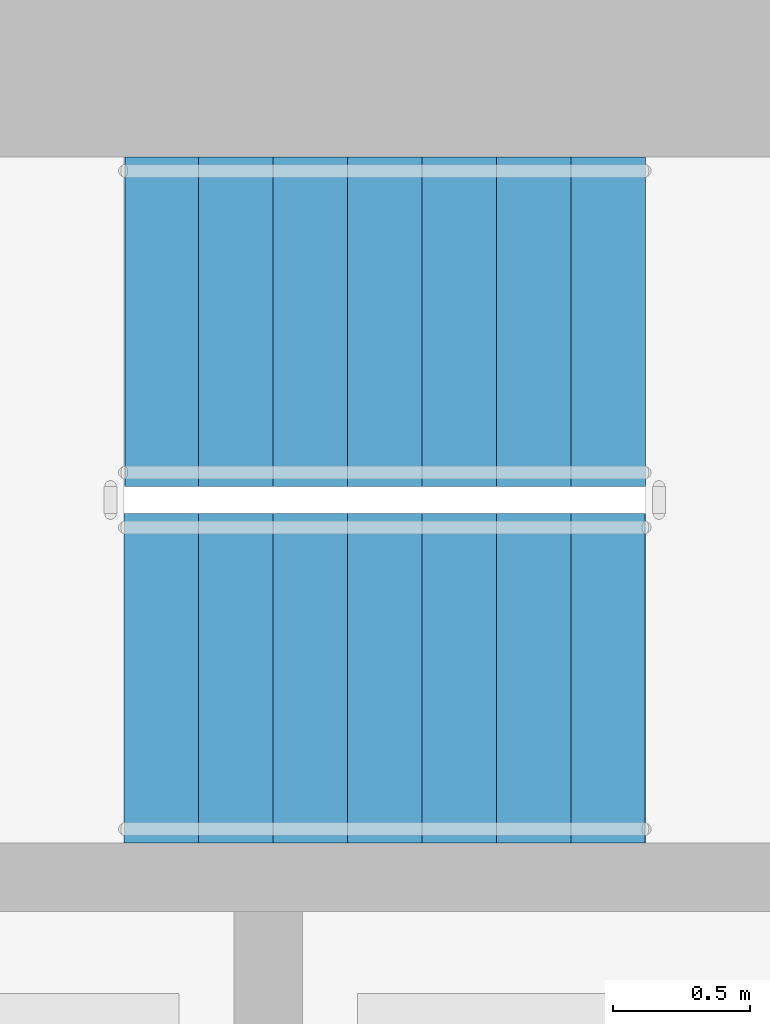
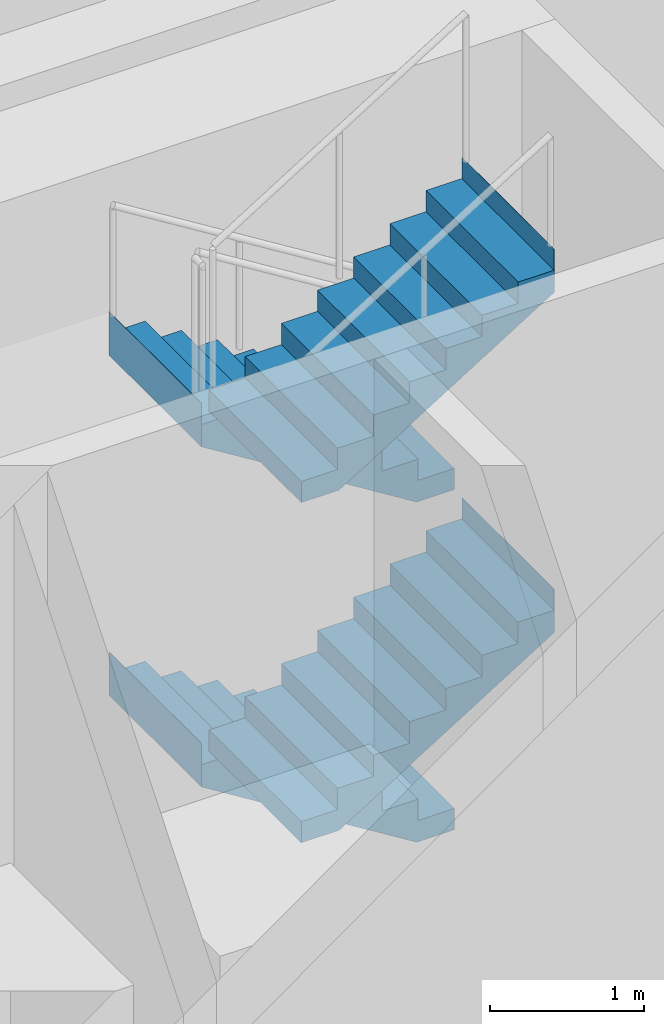
# One storey, part 11 of 18: 4 stair flights, 1 element without a shape of its own.
"""IFC4 building model written with IfcOpenShell, lengths in metres."""

from ifc_helpers import new_model, si_unit, direction, frame, origin, place, context, subcontext, project, spatial, triangles, material, type_object, element, aggregate, save


model = new_model("IFC4")

# Units and contexts
model_context = context("Model", 3, precision=1e-05, world=origin(), true_north=direction((0.0, 1.0)))
body_context = subcontext(model_context, "Body", "Model", "MODEL_VIEW")
ifc_project = project(units=[si_unit("LENGTHUNIT", "METRE"), si_unit("AREAUNIT", "SQUARE_METRE"), si_unit("VOLUMEUNIT", "CUBIC_METRE"), si_unit("PLANEANGLEUNIT", "RADIAN"), si_unit("MASSUNIT", "GRAM", prefix="KILO")], contexts=[model_context])

# Site, building, storey
site_placement = place(None, origin())
site = spatial("IfcSite", under=ifc_project, at=site_placement, CompositionType="ELEMENT")
building_placement = place(site_placement, origin())
building = spatial("IfcBuilding", under=site, at=building_placement, Name="Sahrelin Media Tower", CompositionType="ELEMENT")
storey_placement = place(building_placement, frame((0.0, 0.0, 197.60009765625)))
storey = spatial("IfcBuildingStorey", under=building, at=storey_placement, Name="L42", CompositionType="ELEMENT", Elevation=197.60009765625)

# Stair, stair flights
ifc_material = material(Name="Concrete C40/50", Category="concrete")
stair_type = type_object("IfcStairType", Name="Exit stair 1200", PredefinedType="HALF_TURN_STAIR", material=ifc_material)
stair_placement = place(storey_placement, origin())
stair = element("IfcStair", 1, at=stair_placement, inside=storey, type_object=stair_type, Name="L42 Exit stair ST3", PredefinedType="HALF_TURN_STAIR")
stair_flight_type = type_object("IfcStairFlightType", Name="Stair flight 1200", PredefinedType="STRAIGHT", material=ifc_material)
stair_flight_1_placement = place(storey_placement, frame((7.675048828125, 6.0, 0.0), z_axis=(0.0, 0.0, 1.0), x_axis=(-1.0, 0.0, 0.0)))
stair_flight_1 = element("IfcStairFlight", 2, at=stair_flight_1_placement, type_object=stair_flight_type, Name="ST3 flight 1", NumberOfRisers=8, NumberOfTreads=7, PredefinedType="STRAIGHT", RiserHeight=0.16875, TreadLength=0.271428571, context=body_context, shape_type="Tessellation", body=[
    triangles([(0.283935546875, 0.60009765625, 0.0), (0.283935546875, 0.300048828125, 0.0), (0.283935546875, 0.0, 0.0), (0.283935546875, -0.300048828125, 0.0), (0.283935546875, -0.60009765625, 0.0), (1.89990234375, 0.60009765625, 1.004638671875), (1.89990234375, 0.300048828125, 1.004638671875), (1.89990234375, 0.0, 1.004638671875), (1.89990234375, -0.300048828125, 1.004638671875), (1.89990234375, -0.60009765625, 1.004638671875), (1.89990234375, 0.60009765625, 1.35009765625), (1.89990234375, 0.300048828125, 1.35009765625), (1.89990234375, 0.0, 1.35009765625), (1.89990234375, -0.300048828125, 1.35009765625), (1.89990234375, -0.60009765625, 1.35009765625), (1.89794921875, 0.60009765625, 1.35009765625), (1.89794921875, 0.300048828125, 1.35009765625), (1.89794921875, 0.0, 1.35009765625), (1.89794921875, -0.300048828125, 1.35009765625), (1.89794921875, -0.60009765625, 1.35009765625), (1.89794921875, 0.60009765625, 1.18115234375), (1.89794921875, 0.300048828125, 1.18115234375), (1.89794921875, 0.0, 1.18115234375), (1.89794921875, -0.300048828125, 1.18115234375), (1.89794921875, -0.60009765625, 1.18115234375), (1.628662109375, 0.60009765625, 1.18115234375), (1.628662109375, 0.300048828125, 1.18115234375), (1.628662109375, 0.0, 1.18115234375), (1.628662109375, -0.300048828125, 1.18115234375), (1.628662109375, -0.60009765625, 1.18115234375), (1.628662109375, 0.60009765625, 1.012451171875), (1.628662109375, 0.300048828125, 1.012451171875), (1.628662109375, 0.0, 1.012451171875), (1.628662109375, -0.300048828125, 1.012451171875), (1.628662109375, -0.60009765625, 1.012451171875), (1.357177734375, 0.60009765625, 1.012451171875), (1.357177734375, 0.300048828125, 1.012451171875), (1.357177734375, 0.0, 1.012451171875), (1.357177734375, -0.300048828125, 1.012451171875), (1.357177734375, -0.60009765625, 1.012451171875), (1.357177734375, 0.60009765625, 0.84375), (1.357177734375, 0.300048828125, 0.84375), (1.357177734375, 0.0, 0.84375), (1.357177734375, -0.300048828125, 0.84375), (1.357177734375, -0.60009765625, 0.84375), (1.085693359375, 0.60009765625, 0.84375), (1.085693359375, 0.300048828125, 0.84375), (1.085693359375, 0.0, 0.84375), (1.085693359375, -0.300048828125, 0.84375), (1.085693359375, -0.60009765625, 0.84375), (1.085693359375, 0.60009765625, 0.675048828125), (1.085693359375, 0.300048828125, 0.675048828125), (1.085693359375, 0.0, 0.675048828125), (1.085693359375, -0.300048828125, 0.675048828125), (1.085693359375, -0.60009765625, 0.675048828125), (0.814208984375, 0.60009765625, 0.675048828125), (0.814208984375, 0.300048828125, 0.675048828125), (0.814208984375, 0.0, 0.675048828125), (0.814208984375, -0.300048828125, 0.675048828125), (0.814208984375, -0.60009765625, 0.675048828125), (0.814208984375, 0.60009765625, 0.50634765625), (0.814208984375, 0.300048828125, 0.50634765625), (0.814208984375, 0.0, 0.50634765625), (0.814208984375, -0.300048828125, 0.50634765625), (0.814208984375, -0.60009765625, 0.50634765625), (0.54296875, 0.60009765625, 0.50634765625), (0.54296875, 0.300048828125, 0.50634765625), (0.54296875, 0.0, 0.50634765625), (0.54296875, -0.300048828125, 0.50634765625), (0.54296875, -0.60009765625, 0.50634765625), (0.54296875, 0.60009765625, 0.33740234375), (0.54296875, 0.300048828125, 0.33740234375), (0.54296875, 0.0, 0.33740234375), (0.54296875, -0.300048828125, 0.33740234375), (0.54296875, -0.60009765625, 0.33740234375), (0.271484375, 0.60009765625, 0.33740234375), (0.271484375, 0.300048828125, 0.33740234375), (0.271484375, 0.0, 0.33740234375), (0.271484375, -0.300048828125, 0.33740234375), (0.271484375, -0.60009765625, 0.33740234375), (0.271484375, 0.60009765625, 0.168701171875), (0.271484375, 0.300048828125, 0.168701171875), (0.271484375, 0.0, 0.168701171875), (0.271484375, -0.300048828125, 0.168701171875), (0.271484375, -0.60009765625, 0.168701171875), (0.0, 0.60009765625, 0.168701171875), (0.0, 0.300048828125, 0.168701171875), (0.0, 0.0, 0.168701171875), (0.0, -0.300048828125, 0.168701171875), (0.0, -0.60009765625, 0.168701171875), (0.0, 0.60009765625, 0.0), (0.0, 0.300048828125, 0.0), (0.0, 0.0, 0.0), (0.0, -0.300048828125, 0.0), (0.0, -0.60009765625, 0.0)], [[1, 6, 7], [1, 7, 2], [2, 7, 8], [2, 8, 3], [3, 8, 9], [3, 9, 4], [4, 9, 10], [4, 10, 5], [6, 11, 12], [6, 12, 7], [7, 12, 13], [7, 13, 8], [8, 13, 14], [8, 14, 9], [9, 14, 15], [9, 15, 10], [11, 16, 17], [11, 17, 12], [12, 17, 18], [12, 18, 13], [13, 18, 19], [13, 19, 14], [14, 19, 20], [14, 20, 15], [16, 21, 22], [16, 22, 17], [17, 22, 23], [17, 23, 18], [18, 23, 24], [18, 24, 19], [19, 24, 25], [19, 25, 20], [21, 26, 27], [21, 27, 22], [22, 27, 28], [22, 28, 23], [23, 28, 29], [23, 29, 24], [24, 29, 30], [24, 30, 25], [26, 31, 32], [26, 32, 27], [27, 32, 33], [27, 33, 28], [28, 33, 34], [28, 34, 29], [29, 34, 35], [29, 35, 30], [31, 36, 37], [31, 37, 32], [32, 37, 38], [32, 38, 33], [33, 38, 39], [33, 39, 34], [34, 39, 40], [34, 40, 35], [36, 41, 42], [36, 42, 37], [37, 42, 43], [37, 43, 38], [38, 43, 44], [38, 44, 39], [39, 44, 45], [39, 45, 40], [41, 46, 47], [41, 47, 42], [42, 47, 48], [42, 48, 43], [43, 48, 49], [43, 49, 44], [44, 49, 50], [44, 50, 45], [46, 51, 52], [46, 52, 47], [47, 52, 53], [47, 53, 48], [48, 53, 54], [48, 54, 49], [49, 54, 55], [49, 55, 50], [51, 56, 57], [51, 57, 52], [52, 57, 58], [52, 58, 53], [53, 58, 59], [53, 59, 54], [54, 59, 60], [54, 60, 55], [56, 61, 62], [56, 62, 57], [57, 62, 63], [57, 63, 58], [58, 63, 64], [58, 64, 59], [59, 64, 65], [59, 65, 60], [61, 66, 67], [61, 67, 62], [62, 67, 68], [62, 68, 63], [63, 68, 69], [63, 69, 64], [64, 69, 70], [64, 70, 65], [66, 71, 72], [66, 72, 67], [67, 72, 73], [67, 73, 68], [68, 73, 74], [68, 74, 69], [69, 74, 75], [69, 75, 70], [71, 76, 77], [71, 77, 72], [72, 77, 78], [72, 78, 73], [73, 78, 79], [73, 79, 74], [74, 79, 80], [74, 80, 75], [76, 81, 82], [76, 82, 77], [77, 82, 83], [77, 83, 78], [78, 83, 84], [78, 84, 79], [79, 84, 85], [79, 85, 80], [81, 86, 87], [81, 87, 82], [82, 87, 88], [82, 88, 83], [83, 88, 89], [83, 89, 84], [84, 89, 90], [84, 90, 85], [86, 91, 92], [86, 92, 87], [87, 92, 93], [87, 93, 88], [88, 93, 94], [88, 94, 89], [89, 94, 95], [89, 95, 90], [91, 1, 2], [91, 2, 92], [92, 2, 3], [92, 3, 93], [93, 3, 4], [93, 4, 94], [94, 4, 5], [94, 5, 95], [85, 90, 95], [81, 91, 86], [85, 75, 80], [81, 76, 71], [75, 65, 70], [71, 66, 61], [65, 55, 60], [61, 56, 51], [55, 45, 50], [51, 46, 41], [45, 35, 40], [41, 36, 31], [35, 25, 30], [31, 26, 21], [25, 15, 20], [21, 16, 11], [95, 5, 85], [91, 81, 1], [5, 55, 65], [1, 61, 51], [25, 10, 15], [21, 11, 6], [75, 85, 5], [71, 1, 81], [10, 45, 55], [6, 51, 41], [35, 10, 25], [31, 21, 6], [65, 75, 5], [61, 1, 71], [45, 10, 35], [41, 31, 6], [5, 10, 55], [1, 51, 6]], closed=True),
])
stair_flight_2_placement = place(storey_placement, frame((5.77490234375, 4.699951171875, 1.349853515625), z_axis=(0.0, 0.0, 1.0), x_axis=(1.0, 0.0, 0.0)))
stair_flight_2 = element("IfcStairFlight", 3, at=stair_flight_2_placement, type_object=stair_flight_type, Name="ST3 flight 2", NumberOfRisers=8, NumberOfTreads=7, PredefinedType="STRAIGHT", RiserHeight=0.16875, TreadLength=0.271428571, context=body_context, shape_type="Tessellation", body=[
    triangles([(0.283935546875, 0.60009765625, 0.0), (0.283935546875, 0.300048828125, 0.0), (0.283935546875, 0.0, 0.0), (0.283935546875, -0.300048828125, 0.0), (0.283935546875, -0.60009765625, 0.0), (1.89990234375, 0.60009765625, 1.004638671875), (1.89990234375, 0.300048828125, 1.004638671875), (1.89990234375, 0.0, 1.004638671875), (1.89990234375, -0.300048828125, 1.004638671875), (1.89990234375, -0.60009765625, 1.004638671875), (1.89990234375, 0.60009765625, 1.35009765625), (1.89990234375, 0.300048828125, 1.35009765625), (1.89990234375, 0.0, 1.35009765625), (1.89990234375, -0.300048828125, 1.35009765625), (1.89990234375, -0.60009765625, 1.35009765625), (1.89794921875, 0.60009765625, 1.35009765625), (1.89794921875, 0.300048828125, 1.35009765625), (1.89794921875, 0.0, 1.35009765625), (1.89794921875, -0.300048828125, 1.35009765625), (1.89794921875, -0.60009765625, 1.35009765625), (1.89794921875, 0.60009765625, 1.18115234375), (1.89794921875, 0.300048828125, 1.18115234375), (1.89794921875, 0.0, 1.18115234375), (1.89794921875, -0.300048828125, 1.18115234375), (1.89794921875, -0.60009765625, 1.18115234375), (1.628662109375, 0.60009765625, 1.18115234375), (1.628662109375, 0.300048828125, 1.18115234375), (1.628662109375, 0.0, 1.18115234375), (1.628662109375, -0.300048828125, 1.18115234375), (1.628662109375, -0.60009765625, 1.18115234375), (1.628662109375, 0.60009765625, 1.012451171875), (1.628662109375, 0.300048828125, 1.012451171875), (1.628662109375, 0.0, 1.012451171875), (1.628662109375, -0.300048828125, 1.012451171875), (1.628662109375, -0.60009765625, 1.012451171875), (1.357177734375, 0.60009765625, 1.012451171875), (1.357177734375, 0.300048828125, 1.012451171875), (1.357177734375, 0.0, 1.012451171875), (1.357177734375, -0.300048828125, 1.012451171875), (1.357177734375, -0.60009765625, 1.012451171875), (1.357177734375, 0.60009765625, 0.84375), (1.357177734375, 0.300048828125, 0.84375), (1.357177734375, 0.0, 0.84375), (1.357177734375, -0.300048828125, 0.84375), (1.357177734375, -0.60009765625, 0.84375), (1.085693359375, 0.60009765625, 0.84375), (1.085693359375, 0.300048828125, 0.84375), (1.085693359375, 0.0, 0.84375), (1.085693359375, -0.300048828125, 0.84375), (1.085693359375, -0.60009765625, 0.84375), (1.085693359375, 0.60009765625, 0.675048828125), (1.085693359375, 0.300048828125, 0.675048828125), (1.085693359375, 0.0, 0.675048828125), (1.085693359375, -0.300048828125, 0.675048828125), (1.085693359375, -0.60009765625, 0.675048828125), (0.814208984375, 0.60009765625, 0.675048828125), (0.814208984375, 0.300048828125, 0.675048828125), (0.814208984375, 0.0, 0.675048828125), (0.814208984375, -0.300048828125, 0.675048828125), (0.814208984375, -0.60009765625, 0.675048828125), (0.814208984375, 0.60009765625, 0.50634765625), (0.814208984375, 0.300048828125, 0.50634765625), (0.814208984375, 0.0, 0.50634765625), (0.814208984375, -0.300048828125, 0.50634765625), (0.814208984375, -0.60009765625, 0.50634765625), (0.54296875, 0.60009765625, 0.50634765625), (0.54296875, 0.300048828125, 0.50634765625), (0.54296875, 0.0, 0.50634765625), (0.54296875, -0.300048828125, 0.50634765625), (0.54296875, -0.60009765625, 0.50634765625), (0.54296875, 0.60009765625, 0.33740234375), (0.54296875, 0.300048828125, 0.33740234375), (0.54296875, 0.0, 0.33740234375), (0.54296875, -0.300048828125, 0.33740234375), (0.54296875, -0.60009765625, 0.33740234375), (0.271484375, 0.60009765625, 0.33740234375), (0.271484375, 0.300048828125, 0.33740234375), (0.271484375, 0.0, 0.33740234375), (0.271484375, -0.300048828125, 0.33740234375), (0.271484375, -0.60009765625, 0.33740234375), (0.271484375, 0.60009765625, 0.168701171875), (0.271484375, 0.300048828125, 0.168701171875), (0.271484375, 0.0, 0.168701171875), (0.271484375, -0.300048828125, 0.168701171875), (0.271484375, -0.60009765625, 0.168701171875), (0.0, 0.60009765625, 0.168701171875), (0.0, 0.300048828125, 0.168701171875), (0.0, 0.0, 0.168701171875), (0.0, -0.300048828125, 0.168701171875), (0.0, -0.60009765625, 0.168701171875), (0.0, 0.60009765625, 0.0), (0.0, 0.300048828125, 0.0), (0.0, 0.0, 0.0), (0.0, -0.300048828125, 0.0), (0.0, -0.60009765625, 0.0)], [[1, 6, 7], [1, 7, 2], [2, 7, 8], [2, 8, 3], [3, 8, 9], [3, 9, 4], [4, 9, 10], [4, 10, 5], [6, 11, 12], [6, 12, 7], [7, 12, 13], [7, 13, 8], [8, 13, 14], [8, 14, 9], [9, 14, 15], [9, 15, 10], [11, 16, 17], [11, 17, 12], [12, 17, 18], [12, 18, 13], [13, 18, 19], [13, 19, 14], [14, 19, 20], [14, 20, 15], [16, 21, 22], [16, 22, 17], [17, 22, 23], [17, 23, 18], [18, 23, 24], [18, 24, 19], [19, 24, 25], [19, 25, 20], [21, 26, 27], [21, 27, 22], [22, 27, 28], [22, 28, 23], [23, 28, 29], [23, 29, 24], [24, 29, 30], [24, 30, 25], [26, 31, 32], [26, 32, 27], [27, 32, 33], [27, 33, 28], [28, 33, 34], [28, 34, 29], [29, 34, 35], [29, 35, 30], [31, 36, 37], [31, 37, 32], [32, 37, 38], [32, 38, 33], [33, 38, 39], [33, 39, 34], [34, 39, 40], [34, 40, 35], [36, 41, 42], [36, 42, 37], [37, 42, 43], [37, 43, 38], [38, 43, 44], [38, 44, 39], [39, 44, 45], [39, 45, 40], [41, 46, 47], [41, 47, 42], [42, 47, 48], [42, 48, 43], [43, 48, 49], [43, 49, 44], [44, 49, 50], [44, 50, 45], [46, 51, 52], [46, 52, 47], [47, 52, 53], [47, 53, 48], [48, 53, 54], [48, 54, 49], [49, 54, 55], [49, 55, 50], [51, 56, 57], [51, 57, 52], [52, 57, 58], [52, 58, 53], [53, 58, 59], [53, 59, 54], [54, 59, 60], [54, 60, 55], [56, 61, 62], [56, 62, 57], [57, 62, 63], [57, 63, 58], [58, 63, 64], [58, 64, 59], [59, 64, 65], [59, 65, 60], [61, 66, 67], [61, 67, 62], [62, 67, 68], [62, 68, 63], [63, 68, 69], [63, 69, 64], [64, 69, 70], [64, 70, 65], [66, 71, 72], [66, 72, 67], [67, 72, 73], [67, 73, 68], [68, 73, 74], [68, 74, 69], [69, 74, 75], [69, 75, 70], [71, 76, 77], [71, 77, 72], [72, 77, 78], [72, 78, 73], [73, 78, 79], [73, 79, 74], [74, 79, 80], [74, 80, 75], [76, 81, 82], [76, 82, 77], [77, 82, 83], [77, 83, 78], [78, 83, 84], [78, 84, 79], [79, 84, 85], [79, 85, 80], [81, 86, 87], [81, 87, 82], [82, 87, 88], [82, 88, 83], [83, 88, 89], [83, 89, 84], [84, 89, 90], [84, 90, 85], [86, 91, 92], [86, 92, 87], [87, 92, 93], [87, 93, 88], [88, 93, 94], [88, 94, 89], [89, 94, 95], [89, 95, 90], [91, 1, 2], [91, 2, 92], [92, 2, 3], [92, 3, 93], [93, 3, 4], [93, 4, 94], [94, 4, 5], [94, 5, 95], [85, 90, 95], [81, 91, 86], [85, 75, 80], [81, 76, 71], [75, 65, 70], [71, 66, 61], [65, 55, 60], [61, 56, 51], [55, 45, 50], [51, 46, 41], [45, 35, 40], [41, 36, 31], [35, 25, 30], [31, 26, 21], [25, 15, 20], [21, 16, 11], [95, 5, 85], [91, 81, 1], [5, 55, 65], [1, 61, 51], [25, 10, 15], [21, 11, 6], [75, 85, 5], [71, 1, 81], [10, 45, 55], [6, 51, 41], [35, 10, 25], [31, 21, 6], [65, 75, 5], [61, 1, 71], [45, 10, 35], [41, 31, 6], [5, 10, 55], [1, 51, 6]], closed=True),
])
stair_flight_3_placement = place(storey_placement, frame((7.675048828125, 6.0, 2.699951171875), z_axis=(0.0, 0.0, 1.0), x_axis=(-1.0, 0.0, 0.0)))
stair_flight_3 = element("IfcStairFlight", 4, at=stair_flight_3_placement, type_object=stair_flight_type, Name="ST3 flight 3", NumberOfRisers=8, NumberOfTreads=7, PredefinedType="STRAIGHT", RiserHeight=0.16875, TreadLength=0.271428571, context=body_context, shape_type="Tessellation", body=[
    triangles([(0.283935546875, 0.60009765625, 0.0), (0.283935546875, 0.300048828125, 0.0), (0.283935546875, 0.0, 0.0), (0.283935546875, -0.300048828125, 0.0), (0.283935546875, -0.60009765625, 0.0), (1.89990234375, 0.60009765625, 1.004638671875), (1.89990234375, 0.300048828125, 1.004638671875), (1.89990234375, 0.0, 1.004638671875), (1.89990234375, -0.300048828125, 1.004638671875), (1.89990234375, -0.60009765625, 1.004638671875), (1.89990234375, 0.60009765625, 1.35009765625), (1.89990234375, 0.300048828125, 1.35009765625), (1.89990234375, 0.0, 1.35009765625), (1.89990234375, -0.300048828125, 1.35009765625), (1.89990234375, -0.60009765625, 1.35009765625), (1.89794921875, 0.60009765625, 1.35009765625), (1.89794921875, 0.300048828125, 1.35009765625), (1.89794921875, 0.0, 1.35009765625), (1.89794921875, -0.300048828125, 1.35009765625), (1.89794921875, -0.60009765625, 1.35009765625), (1.89794921875, 0.60009765625, 1.18115234375), (1.89794921875, 0.300048828125, 1.18115234375), (1.89794921875, 0.0, 1.18115234375), (1.89794921875, -0.300048828125, 1.18115234375), (1.89794921875, -0.60009765625, 1.18115234375), (1.628662109375, 0.60009765625, 1.18115234375), (1.628662109375, 0.300048828125, 1.18115234375), (1.628662109375, 0.0, 1.18115234375), (1.628662109375, -0.300048828125, 1.18115234375), (1.628662109375, -0.60009765625, 1.18115234375), (1.628662109375, 0.60009765625, 1.012451171875), (1.628662109375, 0.300048828125, 1.012451171875), (1.628662109375, 0.0, 1.012451171875), (1.628662109375, -0.300048828125, 1.012451171875), (1.628662109375, -0.60009765625, 1.012451171875), (1.357177734375, 0.60009765625, 1.012451171875), (1.357177734375, 0.300048828125, 1.012451171875), (1.357177734375, 0.0, 1.012451171875), (1.357177734375, -0.300048828125, 1.012451171875), (1.357177734375, -0.60009765625, 1.012451171875), (1.357177734375, 0.60009765625, 0.84375), (1.357177734375, 0.300048828125, 0.84375), (1.357177734375, 0.0, 0.84375), (1.357177734375, -0.300048828125, 0.84375), (1.357177734375, -0.60009765625, 0.84375), (1.085693359375, 0.60009765625, 0.84375), (1.085693359375, 0.300048828125, 0.84375), (1.085693359375, 0.0, 0.84375), (1.085693359375, -0.300048828125, 0.84375), (1.085693359375, -0.60009765625, 0.84375), (1.085693359375, 0.60009765625, 0.675048828125), (1.085693359375, 0.300048828125, 0.675048828125), (1.085693359375, 0.0, 0.675048828125), (1.085693359375, -0.300048828125, 0.675048828125), (1.085693359375, -0.60009765625, 0.675048828125), (0.814208984375, 0.60009765625, 0.675048828125), (0.814208984375, 0.300048828125, 0.675048828125), (0.814208984375, 0.0, 0.675048828125), (0.814208984375, -0.300048828125, 0.675048828125), (0.814208984375, -0.60009765625, 0.675048828125), (0.814208984375, 0.60009765625, 0.50634765625), (0.814208984375, 0.300048828125, 0.50634765625), (0.814208984375, 0.0, 0.50634765625), (0.814208984375, -0.300048828125, 0.50634765625), (0.814208984375, -0.60009765625, 0.50634765625), (0.54296875, 0.60009765625, 0.50634765625), (0.54296875, 0.300048828125, 0.50634765625), (0.54296875, 0.0, 0.50634765625), (0.54296875, -0.300048828125, 0.50634765625), (0.54296875, -0.60009765625, 0.50634765625), (0.54296875, 0.60009765625, 0.33740234375), (0.54296875, 0.300048828125, 0.33740234375), (0.54296875, 0.0, 0.33740234375), (0.54296875, -0.300048828125, 0.33740234375), (0.54296875, -0.60009765625, 0.33740234375), (0.271484375, 0.60009765625, 0.33740234375), (0.271484375, 0.300048828125, 0.33740234375), (0.271484375, 0.0, 0.33740234375), (0.271484375, -0.300048828125, 0.33740234375), (0.271484375, -0.60009765625, 0.33740234375), (0.271484375, 0.60009765625, 0.168701171875), (0.271484375, 0.300048828125, 0.168701171875), (0.271484375, 0.0, 0.168701171875), (0.271484375, -0.300048828125, 0.168701171875), (0.271484375, -0.60009765625, 0.168701171875), (0.0, 0.60009765625, 0.168701171875), (0.0, 0.300048828125, 0.168701171875), (0.0, 0.0, 0.168701171875), (0.0, -0.300048828125, 0.168701171875), (0.0, -0.60009765625, 0.168701171875), (0.0, 0.60009765625, 0.0), (0.0, 0.300048828125, 0.0), (0.0, 0.0, 0.0), (0.0, -0.300048828125, 0.0), (0.0, -0.60009765625, 0.0)], [[1, 6, 7], [1, 7, 2], [2, 7, 8], [2, 8, 3], [3, 8, 9], [3, 9, 4], [4, 9, 10], [4, 10, 5], [6, 11, 12], [6, 12, 7], [7, 12, 13], [7, 13, 8], [8, 13, 14], [8, 14, 9], [9, 14, 15], [9, 15, 10], [11, 16, 17], [11, 17, 12], [12, 17, 18], [12, 18, 13], [13, 18, 19], [13, 19, 14], [14, 19, 20], [14, 20, 15], [16, 21, 22], [16, 22, 17], [17, 22, 23], [17, 23, 18], [18, 23, 24], [18, 24, 19], [19, 24, 25], [19, 25, 20], [21, 26, 27], [21, 27, 22], [22, 27, 28], [22, 28, 23], [23, 28, 29], [23, 29, 24], [24, 29, 30], [24, 30, 25], [26, 31, 32], [26, 32, 27], [27, 32, 33], [27, 33, 28], [28, 33, 34], [28, 34, 29], [29, 34, 35], [29, 35, 30], [31, 36, 37], [31, 37, 32], [32, 37, 38], [32, 38, 33], [33, 38, 39], [33, 39, 34], [34, 39, 40], [34, 40, 35], [36, 41, 42], [36, 42, 37], [37, 42, 43], [37, 43, 38], [38, 43, 44], [38, 44, 39], [39, 44, 45], [39, 45, 40], [41, 46, 47], [41, 47, 42], [42, 47, 48], [42, 48, 43], [43, 48, 49], [43, 49, 44], [44, 49, 50], [44, 50, 45], [46, 51, 52], [46, 52, 47], [47, 52, 53], [47, 53, 48], [48, 53, 54], [48, 54, 49], [49, 54, 55], [49, 55, 50], [51, 56, 57], [51, 57, 52], [52, 57, 58], [52, 58, 53], [53, 58, 59], [53, 59, 54], [54, 59, 60], [54, 60, 55], [56, 61, 62], [56, 62, 57], [57, 62, 63], [57, 63, 58], [58, 63, 64], [58, 64, 59], [59, 64, 65], [59, 65, 60], [61, 66, 67], [61, 67, 62], [62, 67, 68], [62, 68, 63], [63, 68, 69], [63, 69, 64], [64, 69, 70], [64, 70, 65], [66, 71, 72], [66, 72, 67], [67, 72, 73], [67, 73, 68], [68, 73, 74], [68, 74, 69], [69, 74, 75], [69, 75, 70], [71, 76, 77], [71, 77, 72], [72, 77, 78], [72, 78, 73], [73, 78, 79], [73, 79, 74], [74, 79, 80], [74, 80, 75], [76, 81, 82], [76, 82, 77], [77, 82, 83], [77, 83, 78], [78, 83, 84], [78, 84, 79], [79, 84, 85], [79, 85, 80], [81, 86, 87], [81, 87, 82], [82, 87, 88], [82, 88, 83], [83, 88, 89], [83, 89, 84], [84, 89, 90], [84, 90, 85], [86, 91, 92], [86, 92, 87], [87, 92, 93], [87, 93, 88], [88, 93, 94], [88, 94, 89], [89, 94, 95], [89, 95, 90], [91, 1, 2], [91, 2, 92], [92, 2, 3], [92, 3, 93], [93, 3, 4], [93, 4, 94], [94, 4, 5], [94, 5, 95], [85, 90, 95], [81, 91, 86], [85, 75, 80], [81, 76, 71], [75, 65, 70], [71, 66, 61], [65, 55, 60], [61, 56, 51], [55, 45, 50], [51, 46, 41], [45, 35, 40], [41, 36, 31], [35, 25, 30], [31, 26, 21], [25, 15, 20], [21, 16, 11], [95, 5, 85], [91, 81, 1], [5, 55, 65], [1, 61, 51], [25, 10, 15], [21, 11, 6], [75, 85, 5], [71, 1, 81], [10, 45, 55], [6, 51, 41], [35, 10, 25], [31, 21, 6], [65, 75, 5], [61, 1, 71], [45, 10, 35], [41, 31, 6], [5, 10, 55], [1, 51, 6]], closed=True),
])
stair_flight_4_placement = place(storey_placement, frame((5.77490234375, 4.699951171875, 4.0498046875), z_axis=(0.0, 0.0, 1.0), x_axis=(1.0, 0.0, 0.0)))
stair_flight_4 = element("IfcStairFlight", 5, at=stair_flight_4_placement, type_object=stair_flight_type, Name="ST3 flight 4", NumberOfRisers=8, NumberOfTreads=7, PredefinedType="STRAIGHT", RiserHeight=0.16875, TreadLength=0.271428571, context=body_context, shape_type="Tessellation", body=[
    triangles([(0.283935546875, 0.60009765625, 0.0), (0.283935546875, 0.300048828125, 0.0), (0.283935546875, 0.0, 0.0), (0.283935546875, -0.300048828125, 0.0), (0.283935546875, -0.60009765625, 0.0), (1.89990234375, 0.60009765625, 1.004638671875), (1.89990234375, 0.300048828125, 1.004638671875), (1.89990234375, 0.0, 1.004638671875), (1.89990234375, -0.300048828125, 1.004638671875), (1.89990234375, -0.60009765625, 1.004638671875), (1.89990234375, 0.60009765625, 1.35009765625), (1.89990234375, 0.300048828125, 1.35009765625), (1.89990234375, 0.0, 1.35009765625), (1.89990234375, -0.300048828125, 1.35009765625), (1.89990234375, -0.60009765625, 1.35009765625), (1.89794921875, 0.60009765625, 1.35009765625), (1.89794921875, 0.300048828125, 1.35009765625), (1.89794921875, 0.0, 1.35009765625), (1.89794921875, -0.300048828125, 1.35009765625), (1.89794921875, -0.60009765625, 1.35009765625), (1.89794921875, 0.60009765625, 1.18115234375), (1.89794921875, 0.300048828125, 1.18115234375), (1.89794921875, 0.0, 1.18115234375), (1.89794921875, -0.300048828125, 1.18115234375), (1.89794921875, -0.60009765625, 1.18115234375), (1.628662109375, 0.60009765625, 1.18115234375), (1.628662109375, 0.300048828125, 1.18115234375), (1.628662109375, 0.0, 1.18115234375), (1.628662109375, -0.300048828125, 1.18115234375), (1.628662109375, -0.60009765625, 1.18115234375), (1.628662109375, 0.60009765625, 1.012451171875), (1.628662109375, 0.300048828125, 1.012451171875), (1.628662109375, 0.0, 1.012451171875), (1.628662109375, -0.300048828125, 1.012451171875), (1.628662109375, -0.60009765625, 1.012451171875), (1.357177734375, 0.60009765625, 1.012451171875), (1.357177734375, 0.300048828125, 1.012451171875), (1.357177734375, 0.0, 1.012451171875), (1.357177734375, -0.300048828125, 1.012451171875), (1.357177734375, -0.60009765625, 1.012451171875), (1.357177734375, 0.60009765625, 0.84375), (1.357177734375, 0.300048828125, 0.84375), (1.357177734375, 0.0, 0.84375), (1.357177734375, -0.300048828125, 0.84375), (1.357177734375, -0.60009765625, 0.84375), (1.085693359375, 0.60009765625, 0.84375), (1.085693359375, 0.300048828125, 0.84375), (1.085693359375, 0.0, 0.84375), (1.085693359375, -0.300048828125, 0.84375), (1.085693359375, -0.60009765625, 0.84375), (1.085693359375, 0.60009765625, 0.675048828125), (1.085693359375, 0.300048828125, 0.675048828125), (1.085693359375, 0.0, 0.675048828125), (1.085693359375, -0.300048828125, 0.675048828125), (1.085693359375, -0.60009765625, 0.675048828125), (0.814208984375, 0.60009765625, 0.675048828125), (0.814208984375, 0.300048828125, 0.675048828125), (0.814208984375, 0.0, 0.675048828125), (0.814208984375, -0.300048828125, 0.675048828125), (0.814208984375, -0.60009765625, 0.675048828125), (0.814208984375, 0.60009765625, 0.50634765625), (0.814208984375, 0.300048828125, 0.50634765625), (0.814208984375, 0.0, 0.50634765625), (0.814208984375, -0.300048828125, 0.50634765625), (0.814208984375, -0.60009765625, 0.50634765625), (0.54296875, 0.60009765625, 0.50634765625), (0.54296875, 0.300048828125, 0.50634765625), (0.54296875, 0.0, 0.50634765625), (0.54296875, -0.300048828125, 0.50634765625), (0.54296875, -0.60009765625, 0.50634765625), (0.54296875, 0.60009765625, 0.33740234375), (0.54296875, 0.300048828125, 0.33740234375), (0.54296875, 0.0, 0.33740234375), (0.54296875, -0.300048828125, 0.33740234375), (0.54296875, -0.60009765625, 0.33740234375), (0.271484375, 0.60009765625, 0.33740234375), (0.271484375, 0.300048828125, 0.33740234375), (0.271484375, 0.0, 0.33740234375), (0.271484375, -0.300048828125, 0.33740234375), (0.271484375, -0.60009765625, 0.33740234375), (0.271484375, 0.60009765625, 0.168701171875), (0.271484375, 0.300048828125, 0.168701171875), (0.271484375, 0.0, 0.168701171875), (0.271484375, -0.300048828125, 0.168701171875), (0.271484375, -0.60009765625, 0.168701171875), (0.0, 0.60009765625, 0.168701171875), (0.0, 0.300048828125, 0.168701171875), (0.0, 0.0, 0.168701171875), (0.0, -0.300048828125, 0.168701171875), (0.0, -0.60009765625, 0.168701171875), (0.0, 0.60009765625, 0.0), (0.0, 0.300048828125, 0.0), (0.0, 0.0, 0.0), (0.0, -0.300048828125, 0.0), (0.0, -0.60009765625, 0.0)], [[1, 6, 7], [1, 7, 2], [2, 7, 8], [2, 8, 3], [3, 8, 9], [3, 9, 4], [4, 9, 10], [4, 10, 5], [6, 11, 12], [6, 12, 7], [7, 12, 13], [7, 13, 8], [8, 13, 14], [8, 14, 9], [9, 14, 15], [9, 15, 10], [11, 16, 17], [11, 17, 12], [12, 17, 18], [12, 18, 13], [13, 18, 19], [13, 19, 14], [14, 19, 20], [14, 20, 15], [16, 21, 22], [16, 22, 17], [17, 22, 23], [17, 23, 18], [18, 23, 24], [18, 24, 19], [19, 24, 25], [19, 25, 20], [21, 26, 27], [21, 27, 22], [22, 27, 28], [22, 28, 23], [23, 28, 29], [23, 29, 24], [24, 29, 30], [24, 30, 25], [26, 31, 32], [26, 32, 27], [27, 32, 33], [27, 33, 28], [28, 33, 34], [28, 34, 29], [29, 34, 35], [29, 35, 30], [31, 36, 37], [31, 37, 32], [32, 37, 38], [32, 38, 33], [33, 38, 39], [33, 39, 34], [34, 39, 40], [34, 40, 35], [36, 41, 42], [36, 42, 37], [37, 42, 43], [37, 43, 38], [38, 43, 44], [38, 44, 39], [39, 44, 45], [39, 45, 40], [41, 46, 47], [41, 47, 42], [42, 47, 48], [42, 48, 43], [43, 48, 49], [43, 49, 44], [44, 49, 50], [44, 50, 45], [46, 51, 52], [46, 52, 47], [47, 52, 53], [47, 53, 48], [48, 53, 54], [48, 54, 49], [49, 54, 55], [49, 55, 50], [51, 56, 57], [51, 57, 52], [52, 57, 58], [52, 58, 53], [53, 58, 59], [53, 59, 54], [54, 59, 60], [54, 60, 55], [56, 61, 62], [56, 62, 57], [57, 62, 63], [57, 63, 58], [58, 63, 64], [58, 64, 59], [59, 64, 65], [59, 65, 60], [61, 66, 67], [61, 67, 62], [62, 67, 68], [62, 68, 63], [63, 68, 69], [63, 69, 64], [64, 69, 70], [64, 70, 65], [66, 71, 72], [66, 72, 67], [67, 72, 73], [67, 73, 68], [68, 73, 74], [68, 74, 69], [69, 74, 75], [69, 75, 70], [71, 76, 77], [71, 77, 72], [72, 77, 78], [72, 78, 73], [73, 78, 79], [73, 79, 74], [74, 79, 80], [74, 80, 75], [76, 81, 82], [76, 82, 77], [77, 82, 83], [77, 83, 78], [78, 83, 84], [78, 84, 79], [79, 84, 85], [79, 85, 80], [81, 86, 87], [81, 87, 82], [82, 87, 88], [82, 88, 83], [83, 88, 89], [83, 89, 84], [84, 89, 90], [84, 90, 85], [86, 91, 92], [86, 92, 87], [87, 92, 93], [87, 93, 88], [88, 93, 94], [88, 94, 89], [89, 94, 95], [89, 95, 90], [91, 1, 2], [91, 2, 92], [92, 2, 3], [92, 3, 93], [93, 3, 4], [93, 4, 94], [94, 4, 5], [94, 5, 95], [85, 90, 95], [81, 91, 86], [85, 75, 80], [81, 76, 71], [75, 65, 70], [71, 66, 61], [65, 55, 60], [61, 56, 51], [55, 45, 50], [51, 46, 41], [45, 35, 40], [41, 36, 31], [35, 25, 30], [31, 26, 21], [25, 15, 20], [21, 16, 11], [95, 5, 85], [91, 81, 1], [5, 55, 65], [1, 61, 51], [25, 10, 15], [21, 11, 6], [75, 85, 5], [71, 1, 81], [10, 45, 55], [6, 51, 41], [35, 10, 25], [31, 21, 6], [65, 75, 5], [61, 1, 71], [45, 10, 35], [41, 31, 6], [5, 10, 55], [1, 51, 6]], closed=True),
])
aggregate(stair, [stair_flight_1, stair_flight_2, stair_flight_3, stair_flight_4])

save(model, "model.ifc")
